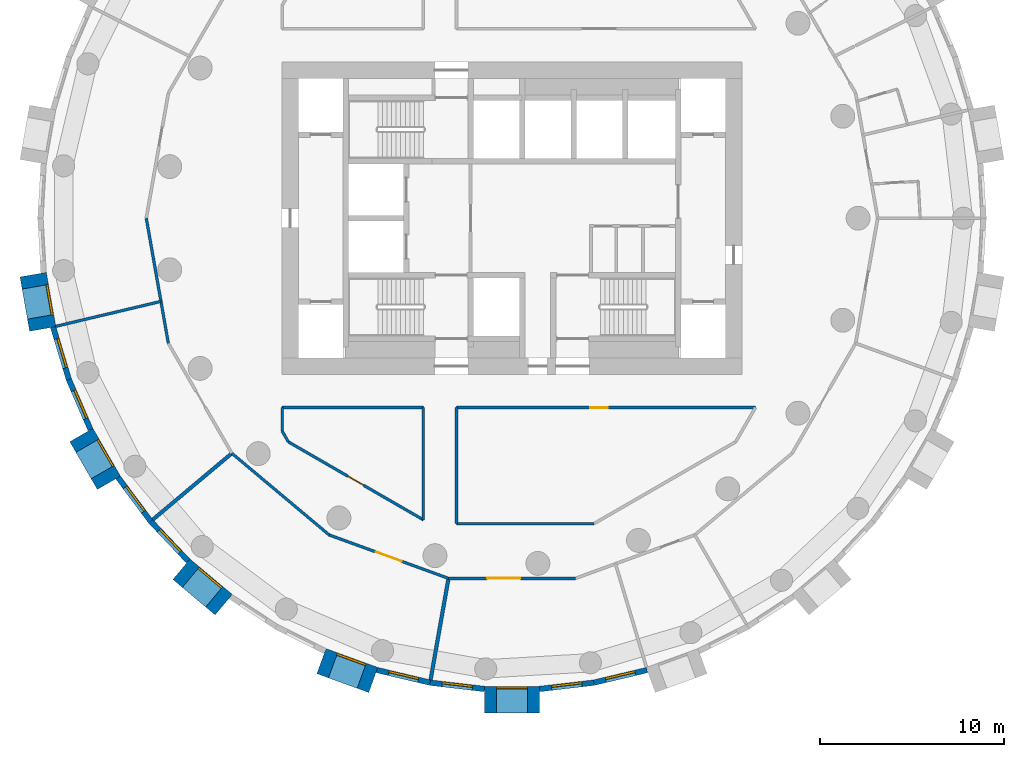
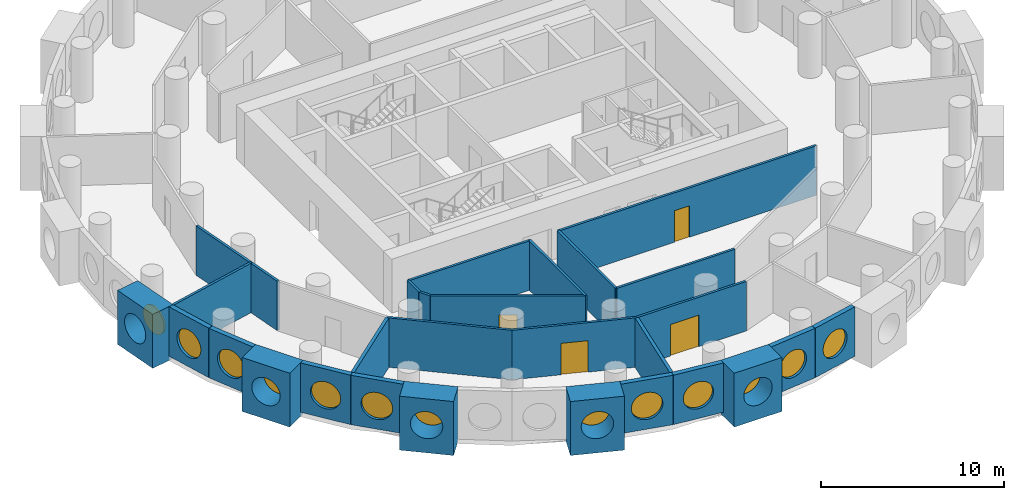
# One storey, part 2 of 9: 28 walls, 13 windows, 4 doors, 17 openings.
"""IFC4 building model written with IfcOpenShell, lengths in metres."""

from ifc_helpers import new_model, si_unit, direction, frame, frame_2d, origin, origin_2d, place, context, subcontext, project, spatial, rectangle, circle, extrude, material, layer, layer_set, type_object, element, fill, save


model = new_model("IFC4")

# Units and contexts
model_context = context("Model", 3, precision=1e-05, world=origin(), true_north=direction((0.0, 1.0)))
body_context = subcontext(model_context, "Body", "Model", "MODEL_VIEW")
ifc_project = project(units=[si_unit("LENGTHUNIT", "METRE"), si_unit("AREAUNIT", "SQUARE_METRE"), si_unit("VOLUMEUNIT", "CUBIC_METRE"), si_unit("PLANEANGLEUNIT", "RADIAN"), si_unit("MASSUNIT", "GRAM", prefix="KILO")], contexts=[model_context])

# Site, building, storey
site_placement = place(None, origin())
site = spatial("IfcSite", under=ifc_project, at=site_placement, CompositionType="ELEMENT")
building_placement = place(site_placement, origin())
building = spatial("IfcBuilding", under=site, at=building_placement, Name="Tracery Tower", CompositionType="ELEMENT")
storey_placement = place(building_placement, frame((0.0, 0.0, 162.0)))
storey = spatial("IfcBuildingStorey", under=building, at=storey_placement, Name="L41", CompositionType="ELEMENT", Elevation=162.0)

# Wall, opening, window
ifc_material_1 = material(Name="Precast concrete C50/60", Category="concrete")
ifc_layer_1 = layer(ifc_material_1, 1.449951171875)
ifc_layer_set_1 = layer_set([ifc_layer_1], Name="Deep-set bay unit 3000 x 3600, slab edge 300")
wall_type_1 = type_object("IfcWallType", Name="Deep-set bay unit 3000 x 3600, slab edge 300", PredefinedType="ELEMENTEDWALL", material=ifc_layer_set_1)
wall_1_placement = place(storey_placement, frame((-26.041748046875, -3.06884765625, -0.300048828125), z_axis=(0.0, 0.0, 1.0), x_axis=(0.173669267716, -0.984804034035, 0.0)))
wall_1 = element("IfcWall", 1, at=wall_1_placement, inside=storey, type_object=wall_type_1, Name="Deep-set bay unit 29 at L41", PredefinedType="ELEMENTEDWALL", context=body_context, shape_type="SweptSolid", body=[
    extrude(rectangle(XDim=3.0, YDim=1.449951171875, at=frame_2d((1.5, 0.0))), origin(), (0.0, 0.0, 1.0), 3.60009765625),
])
opening_1_placement = place(wall_1_placement, frame((1.5, 0.0, 1.85009765625)))
opening_1 = element("IfcOpeningElement", 2, at=opening_1_placement, cuts=wall_1, Name="Opening WN1", PredefinedType="OPENING", context=body_context, shape_type="SweptSolid", body=[
    extrude(circle(Radius=0.9000244140625, at=origin_2d()), frame((0.0, 0.73486328125, 0.0), z_axis=(0.0, -1.0, 0.0), x_axis=(1.0, 0.0, 0.0)), (0.0, 0.0, 1.0), 1.469970703125),
])
ifc_material_2 = material(Name="Aluminium frame with tinted double glazing", Category="aluminium")
window_type = type_object("IfcWindowType", Name="Round window 1800", PartitioningType="SINGLE_PANEL", PredefinedType="WINDOW", material=ifc_material_2)
window_1_placement = place(opening_1_placement, origin())
window_1 = element("IfcWindow", 3, at=window_1_placement, inside=storey, type_object=window_type, Name="Round window 29 at L41", OverallHeight=1.800048828125, OverallWidth=1.800048828125, PartitioningType="SINGLE_PANEL", PredefinedType="WINDOW", context=body_context, shape_type="SweptSolid", body=[
    extrude(circle(Radius=0.9000244140625, at=origin_2d()), frame((0.0, 0.69482421875, 0.0), z_axis=(0.0, -1.0, 0.0), x_axis=(1.0, 0.0, 0.0)), (0.0, 0.0, 1.0), 0.10009765625),
])
fill(opening_1, window_1)

wall_2_placement = place(storey_placement, frame((-23.421630859375, -11.79052734375, -0.300048828125), z_axis=(0.0, 0.0, 1.0), x_axis=(0.499990139034, -0.866031096941, 0.0)))
wall_2 = element("IfcWall", 4, at=wall_2_placement, inside=storey, type_object=wall_type_1, Name="Deep-set bay unit 32 at L41", PredefinedType="ELEMENTEDWALL", context=body_context, shape_type="SweptSolid", body=[
    extrude(rectangle(XDim=3.0, YDim=1.449951171875, at=frame_2d((1.5, 0.0))), origin(), (0.0, 0.0, 1.0), 3.60009765625),
])
opening_2_placement = place(wall_2_placement, frame((1.5, 0.0, 1.85009765625)))
opening_2 = element("IfcOpeningElement", 5, at=opening_2_placement, cuts=wall_2, Name="Opening WN1", PredefinedType="OPENING", context=body_context, shape_type="SweptSolid", body=[
    extrude(circle(Radius=0.9000244140625, at=origin_2d()), frame((0.0, 0.73486328125, 0.0), z_axis=(0.0, -1.0, 0.0), x_axis=(1.0, 0.0, 0.0)), (0.0, 0.0, 1.0), 1.469970703125),
])
window_2_placement = place(opening_2_placement, origin())
window_2 = element("IfcWindow", 6, at=window_2_placement, inside=storey, type_object=window_type, Name="Round window 32 at L41", OverallHeight=1.800048828125, OverallWidth=1.800048828125, PartitioningType="SINGLE_PANEL", PredefinedType="WINDOW", context=body_context, shape_type="SweptSolid", body=[
    extrude(circle(Radius=0.9000244140625, at=origin_2d()), frame((0.0, 0.69482421875, 0.0), z_axis=(0.0, -1.0, 0.0), x_axis=(1.0, 0.0, 0.0)), (0.0, 0.0, 1.0), 0.10009765625),
])
fill(opening_2, window_2)

wall_3_placement = place(storey_placement, frame((-17.9765625, -19.090087890625, -0.300048828125), z_axis=(0.0, 0.0, 1.0), x_axis=(0.766022196139, -0.642814121673, 0.0)))
wall_3 = element("IfcWall", 7, at=wall_3_placement, inside=storey, type_object=wall_type_1, Name="Deep-set bay unit 35 at L41", PredefinedType="ELEMENTEDWALL", context=body_context, shape_type="SweptSolid", body=[
    extrude(rectangle(XDim=3.0, YDim=1.449951171875, at=frame_2d((1.5, 0.0))), origin(), (0.0, 0.0, 1.0), 3.60009765625),
])
opening_3_placement = place(wall_3_placement, frame((1.5, 0.0, 1.85009765625)))
opening_3 = element("IfcOpeningElement", 8, at=opening_3_placement, cuts=wall_3, Name="Opening WN1", PredefinedType="OPENING", context=body_context, shape_type="SweptSolid", body=[
    extrude(circle(Radius=0.9000244140625, at=origin_2d()), frame((0.0, 0.73486328125, 0.0), z_axis=(0.0, -1.0, 0.0), x_axis=(1.0, 0.0, 0.0)), (0.0, 0.0, 1.0), 1.469970703125),
])
window_3_placement = place(opening_3_placement, origin())
window_3 = element("IfcWindow", 9, at=window_3_placement, inside=storey, type_object=window_type, Name="Round window 35 at L41", OverallHeight=1.800048828125, OverallWidth=1.800048828125, PartitioningType="SINGLE_PANEL", PredefinedType="WINDOW", context=body_context, shape_type="SweptSolid", body=[
    extrude(circle(Radius=0.9000244140625, at=origin_2d()), frame((0.0, 0.69482421875, 0.0), z_axis=(0.0, -1.0, 0.0), x_axis=(1.0, 0.0, 0.0)), (0.0, 0.0, 1.0), 0.10009765625),
])
fill(opening_3, window_3)

wall_4_placement = place(storey_placement, frame((-10.36328125, -24.087158203125, -0.300048828125), z_axis=(0.0, 0.0, 1.0), x_axis=(0.939686455819, -0.342037080957, 0.0)))
wall_4 = element("IfcWall", 10, at=wall_4_placement, inside=storey, type_object=wall_type_1, Name="Deep-set bay unit 38 at L41", PredefinedType="ELEMENTEDWALL", context=body_context, shape_type="SweptSolid", body=[
    extrude(rectangle(XDim=3.0, YDim=1.449951171875, at=frame_2d((1.5, 0.0))), origin(), (0.0, 0.0, 1.0), 3.60009765625),
])
opening_4_placement = place(wall_4_placement, frame((1.5, 0.0, 1.85009765625)))
opening_4 = element("IfcOpeningElement", 11, at=opening_4_placement, cuts=wall_4, Name="Opening WN1", PredefinedType="OPENING", context=body_context, shape_type="SweptSolid", body=[
    extrude(circle(Radius=0.9000244140625, at=origin_2d()), frame((0.0, 0.73486328125, 0.0), z_axis=(0.0, -1.0, 0.0), x_axis=(1.0, 0.0, 0.0)), (0.0, 0.0, 1.0), 1.469970703125),
])
window_4_placement = place(opening_4_placement, origin())
window_4 = element("IfcWindow", 12, at=window_4_placement, inside=storey, type_object=window_type, Name="Round window 38 at L41", OverallHeight=1.800048828125, OverallWidth=1.800048828125, PartitioningType="SINGLE_PANEL", PredefinedType="WINDOW", context=body_context, shape_type="SweptSolid", body=[
    extrude(circle(Radius=0.9000244140625, at=origin_2d()), frame((0.0, 0.69482421875, 0.0), z_axis=(0.0, -1.0, 0.0), x_axis=(1.0, 0.0, 0.0)), (0.0, 0.0, 1.0), 0.10009765625),
])
fill(opening_4, window_4)

wall_5_placement = place(storey_placement, frame((-1.5, -26.178955078125, -0.300048828125), z_axis=(0.0, 0.0, 1.0), x_axis=(1.0, 0.0, 0.0)))
wall_5 = element("IfcWall", 13, at=wall_5_placement, inside=storey, type_object=wall_type_1, Name="Deep-set bay unit 41 at L41", PredefinedType="ELEMENTEDWALL", context=body_context, shape_type="SweptSolid", body=[
    extrude(rectangle(XDim=3.0, YDim=1.449951171875, at=frame_2d((1.5, 0.0))), origin(), (0.0, 0.0, 1.0), 3.60009765625),
])
opening_5_placement = place(wall_5_placement, frame((1.5, 0.0, 1.85009765625)))
opening_5 = element("IfcOpeningElement", 14, at=opening_5_placement, cuts=wall_5, Name="Opening WN1", PredefinedType="OPENING", context=body_context, shape_type="SweptSolid", body=[
    extrude(circle(Radius=0.9000244140625, at=origin_2d()), frame((0.0, 0.73486328125, 0.0), z_axis=(0.0, -1.0, 0.0), x_axis=(1.0, 0.0, 0.0)), (0.0, 0.0, 1.0), 1.469970703125),
])
window_5_placement = place(opening_5_placement, origin())
window_5 = element("IfcWindow", 15, at=window_5_placement, inside=storey, type_object=window_type, Name="Round window 41 at L41", OverallHeight=1.800048828125, OverallWidth=1.800048828125, PartitioningType="SINGLE_PANEL", PredefinedType="WINDOW", context=body_context, shape_type="SweptSolid", body=[
    extrude(circle(Radius=0.9000244140625, at=origin_2d()), frame((0.0, 0.69482421875, 0.0), z_axis=(0.0, -1.0, 0.0), x_axis=(1.0, 0.0, 0.0)), (0.0, 0.0, 1.0), 0.10009765625),
])
fill(opening_5, window_5)

ifc_material_3 = material(Name="Precast concrete C50/60", Category="concrete")
ifc_layer_2 = layer(ifc_material_3, 0.300048828125)
ifc_layer_set_2 = layer_set([ifc_layer_2], Name="Facade panel 3000 x 3300")
wall_type_2 = type_object("IfcWallType", Name="Facade panel 3000 x 3300", PredefinedType="SOLIDWALL", material=ifc_layer_set_2)
wall_6_placement = place(storey_placement, frame((-24.953369140625, -5.924072265625, 0.0), z_axis=(0.0, 0.0, 1.0), x_axis=(0.286782750849, -0.957995643944, 0.0)))
wall_6 = element("IfcWall", 16, at=wall_6_placement, inside=storey, type_object=wall_type_2, Name="Facade panel 30 at L41", PredefinedType="SOLIDWALL", context=body_context, shape_type="SweptSolid", body=[
    extrude(rectangle(XDim=2.97265625, YDim=0.300048828125, at=frame_2d((1.486328125, 0.0))), origin(), (0.0, 0.0, 1.0), 3.300048828125),
])
opening_6_placement = place(wall_6_placement, frame((1.486328125, 0.0, 1.5498046875)))
opening_6 = element("IfcOpeningElement", 17, at=opening_6_placement, cuts=wall_6, Name="Opening WN1", PredefinedType="OPENING", context=body_context, shape_type="SweptSolid", body=[
    extrude(circle(Radius=0.9000244140625, at=origin_2d()), frame((0.0, 0.159912109375, 0.0), z_axis=(0.0, -1.0, 0.0), x_axis=(1.0, 0.0, 0.0)), (0.0, 0.0, 1.0), 0.320068359375),
])
window_6_placement = place(opening_6_placement, origin())
window_6 = element("IfcWindow", 18, at=window_6_placement, inside=storey, type_object=window_type, Name="Round window 30 at L41", OverallHeight=1.800048828125, OverallWidth=1.800048828125, PartitioningType="SINGLE_PANEL", PredefinedType="WINDOW", context=body_context, shape_type="SweptSolid", body=[
    extrude(circle(Radius=0.9000244140625, at=origin_2d()), frame((0.0, 0.1201171875, 0.0), z_axis=(0.0, -1.0, 0.0), x_axis=(1.0, 0.0, 0.0)), (0.0, 0.0, 1.0), 0.10009765625),
])
fill(opening_6, window_6)

wall_7_placement = place(storey_placement, frame((-24.100830078125, -8.77197265625, 0.0), z_axis=(0.0, 0.0, 1.0), x_axis=(0.396148129016, -0.918186614952, 0.0)))
wall_7 = element("IfcWall", 19, at=wall_7_placement, inside=storey, type_object=wall_type_2, Name="Facade panel 31 at L41", PredefinedType="SOLIDWALL", context=body_context, shape_type="SweptSolid", body=[
    extrude(rectangle(XDim=2.972900390625, YDim=0.300048828125, at=frame_2d((1.486328125, 0.0))), origin(), (0.0, 0.0, 1.0), 3.300048828125),
])
opening_7_placement = place(wall_7_placement, frame((1.486328125, 0.0, 1.5498046875)))
opening_7 = element("IfcOpeningElement", 20, at=opening_7_placement, cuts=wall_7, Name="Opening WN1", PredefinedType="OPENING", context=body_context, shape_type="SweptSolid", body=[
    extrude(circle(Radius=0.9000244140625, at=origin_2d()), frame((0.0, 0.159912109375, 0.0), z_axis=(0.0, -1.0, 0.0), x_axis=(1.0, 0.0, 0.0)), (0.0, 0.0, 1.0), 0.320068359375),
])
window_7_placement = place(opening_7_placement, origin())
window_7 = element("IfcWindow", 21, at=window_7_placement, inside=storey, type_object=window_type, Name="Round window 31 at L41", OverallHeight=1.800048828125, OverallWidth=1.800048828125, PartitioningType="SINGLE_PANEL", PredefinedType="WINDOW", context=body_context, shape_type="SweptSolid", body=[
    extrude(circle(Radius=0.9000244140625, at=origin_2d()), frame((0.0, 0.1201171875, 0.0), z_axis=(0.0, -1.0, 0.0), x_axis=(1.0, 0.0, 0.0)), (0.0, 0.0, 1.0), 0.10009765625),
])
fill(opening_7, window_7)

wall_8_placement = place(storey_placement, frame((-21.42236328125, -14.101318359375, 0.0), z_axis=(0.0, 0.0, 1.0), x_axis=(0.597197580538, -0.80209416517, 0.0)))
wall_8 = element("IfcWall", 22, at=wall_8_placement, inside=storey, type_object=wall_type_2, Name="Facade panel 33 at L41", PredefinedType="SOLIDWALL", context=body_context, shape_type="SweptSolid", body=[
    extrude(rectangle(XDim=2.972900390625, YDim=0.300048828125, at=frame_2d((1.486328125, 0.0))), origin(), (0.0, 0.0, 1.0), 3.300048828125),
])
opening_8_placement = place(wall_8_placement, frame((1.486328125, 0.0, 1.5498046875)))
opening_8 = element("IfcOpeningElement", 23, at=opening_8_placement, cuts=wall_8, Name="Opening WN1", PredefinedType="OPENING", context=body_context, shape_type="SweptSolid", body=[
    extrude(circle(Radius=0.9000244140625, at=origin_2d()), frame((0.0, 0.159912109375, 0.0), z_axis=(0.0, -1.0, 0.0), x_axis=(1.0, 0.0, 0.0)), (0.0, 0.0, 1.0), 0.320068359375),
])
window_8_placement = place(opening_8_placement, origin())
window_8 = element("IfcWindow", 24, at=window_8_placement, inside=storey, type_object=window_type, Name="Round window 33 at L41", OverallHeight=1.800048828125, OverallWidth=1.800048828125, PartitioningType="SINGLE_PANEL", PredefinedType="WINDOW", context=body_context, shape_type="SweptSolid", body=[
    extrude(circle(Radius=0.9000244140625, at=origin_2d()), frame((0.0, 0.1201171875, 0.0), z_axis=(0.0, -1.0, 0.0), x_axis=(1.0, 0.0, 0.0)), (0.0, 0.0, 1.0), 0.10009765625),
])
fill(opening_8, window_8)

wall_9_placement = place(storey_placement, frame((-19.64697265625, -16.48583984375, 0.0), z_axis=(0.0, 0.0, 1.0), x_axis=(0.686235184166, -0.727379730273, 0.0)))
wall_9 = element("IfcWall", 25, at=wall_9_placement, inside=storey, type_object=wall_type_2, Name="Facade panel 34 at L41", PredefinedType="SOLIDWALL", context=body_context, shape_type="SweptSolid", body=[
    extrude(rectangle(XDim=2.972900390625, YDim=0.300048828125, at=frame_2d((1.486328125, 0.0))), origin(), (0.0, 0.0, 1.0), 3.300048828125),
])
opening_9_placement = place(wall_9_placement, frame((1.486328125, 0.0, 1.5498046875)))
opening_9 = element("IfcOpeningElement", 26, at=opening_9_placement, cuts=wall_9, Name="Opening WN1", PredefinedType="OPENING", context=body_context, shape_type="SweptSolid", body=[
    extrude(circle(Radius=0.9000244140625, at=origin_2d()), frame((0.0, 0.159912109375, 0.0), z_axis=(0.0, -1.0, 0.0), x_axis=(1.0, 0.0, 0.0)), (0.0, 0.0, 1.0), 0.320068359375),
])
window_9_placement = place(opening_9_placement, origin())
window_9 = element("IfcWindow", 27, at=window_9_placement, inside=storey, type_object=window_type, Name="Round window 34 at L41", OverallHeight=1.800048828125, OverallWidth=1.800048828125, PartitioningType="SINGLE_PANEL", PredefinedType="WINDOW", context=body_context, shape_type="SweptSolid", body=[
    extrude(circle(Radius=0.9000244140625, at=origin_2d()), frame((0.0, 0.1201171875, 0.0), z_axis=(0.0, -1.0, 0.0), x_axis=(1.0, 0.0, 0.0)), (0.0, 0.0, 1.0), 0.10009765625),
])
fill(opening_9, window_9)

wall_10_placement = place(storey_placement, frame((-7.346435546875, -24.572265625, 0.0), z_axis=(0.0, 0.0, 1.0), x_axis=(0.973049746156, -0.230595298102, 0.0)))
wall_10 = element("IfcWall", 28, at=wall_10_placement, inside=storey, type_object=wall_type_2, Name="Facade panel 39 at L41", PredefinedType="SOLIDWALL", context=body_context, shape_type="SweptSolid", body=[
    extrude(rectangle(XDim=2.972900390625, YDim=0.300048828125, at=frame_2d((1.486328125, 0.0))), origin(), (0.0, 0.0, 1.0), 3.300048828125),
])
opening_10_placement = place(wall_10_placement, frame((1.486328125, 0.0, 1.5498046875)))
opening_10 = element("IfcOpeningElement", 29, at=opening_10_placement, cuts=wall_10, Name="Opening WN1", PredefinedType="OPENING", context=body_context, shape_type="SweptSolid", body=[
    extrude(circle(Radius=0.9000244140625, at=origin_2d()), frame((0.0, 0.159912109375, 0.0), z_axis=(0.0, -1.0, 0.0), x_axis=(1.0, 0.0, 0.0)), (0.0, 0.0, 1.0), 0.320068359375),
])
window_10_placement = place(opening_10_placement, origin())
window_10 = element("IfcWindow", 30, at=window_10_placement, inside=storey, type_object=window_type, Name="Round window 39 at L41", OverallHeight=1.800048828125, OverallWidth=1.800048828125, PartitioningType="SINGLE_PANEL", PredefinedType="WINDOW", context=body_context, shape_type="SweptSolid", body=[
    extrude(circle(Radius=0.9000244140625, at=origin_2d()), frame((0.0, 0.1201171875, 0.0), z_axis=(0.0, -1.0, 0.0), x_axis=(1.0, 0.0, 0.0)), (0.0, 0.0, 1.0), 0.10009765625),
])
fill(opening_10, window_10)

wall_11_placement = place(storey_placement, frame((-4.45361328125, -25.2578125, 0.0), z_axis=(0.0, 0.0, 1.0), x_axis=(0.993235542767, -0.116116995244, 0.0)))
wall_11 = element("IfcWall", 31, at=wall_11_placement, inside=storey, type_object=wall_type_2, Name="Facade panel 40 at L41", PredefinedType="SOLIDWALL", context=body_context, shape_type="SweptSolid", body=[
    extrude(rectangle(XDim=2.972900390625, YDim=0.300048828125, at=frame_2d((1.486328125, 0.0))), origin(), (0.0, 0.0, 1.0), 3.300048828125),
])
opening_11_placement = place(wall_11_placement, frame((1.486328125, 0.0, 1.5498046875)))
opening_11 = element("IfcOpeningElement", 32, at=opening_11_placement, cuts=wall_11, Name="Opening WN1", PredefinedType="OPENING", context=body_context, shape_type="SweptSolid", body=[
    extrude(circle(Radius=0.9000244140625, at=origin_2d()), frame((0.0, 0.159912109375, 0.0), z_axis=(0.0, -1.0, 0.0), x_axis=(1.0, 0.0, 0.0)), (0.0, 0.0, 1.0), 0.320068359375),
])
window_11_placement = place(opening_11_placement, origin())
window_11 = element("IfcWindow", 33, at=window_11_placement, inside=storey, type_object=window_type, Name="Round window 40 at L41", OverallHeight=1.800048828125, OverallWidth=1.800048828125, PartitioningType="SINGLE_PANEL", PredefinedType="WINDOW", context=body_context, shape_type="SweptSolid", body=[
    extrude(circle(Radius=0.9000244140625, at=origin_2d()), frame((0.0, 0.1201171875, 0.0), z_axis=(0.0, -1.0, 0.0), x_axis=(1.0, 0.0, 0.0)), (0.0, 0.0, 1.0), 0.10009765625),
])
fill(opening_11, window_11)

wall_12_placement = place(storey_placement, frame((1.500732421875, -25.60302734375, 0.0), z_axis=(0.0, 0.0, 1.0), x_axis=(0.993235542767, 0.116116995244, 0.0)))
wall_12 = element("IfcWall", 34, at=wall_12_placement, inside=storey, type_object=wall_type_2, Name="Facade panel 42 at L41", PredefinedType="SOLIDWALL", context=body_context, shape_type="SweptSolid", body=[
    extrude(rectangle(XDim=2.972900390625, YDim=0.300048828125, at=frame_2d((1.486328125, 0.0))), origin(), (0.0, 0.0, 1.0), 3.300048828125),
])
opening_12_placement = place(wall_12_placement, frame((1.486328125, 0.0, 1.5498046875)))
opening_12 = element("IfcOpeningElement", 35, at=opening_12_placement, cuts=wall_12, Name="Opening WN1", PredefinedType="OPENING", context=body_context, shape_type="SweptSolid", body=[
    extrude(circle(Radius=0.9000244140625, at=origin_2d()), frame((0.0, 0.159912109375, 0.0), z_axis=(0.0, -1.0, 0.0), x_axis=(1.0, 0.0, 0.0)), (0.0, 0.0, 1.0), 0.320068359375),
])
window_12_placement = place(opening_12_placement, origin())
window_12 = element("IfcWindow", 36, at=window_12_placement, inside=storey, type_object=window_type, Name="Round window 42 at L41", OverallHeight=1.800048828125, OverallWidth=1.800048828125, PartitioningType="SINGLE_PANEL", PredefinedType="WINDOW", context=body_context, shape_type="SweptSolid", body=[
    extrude(circle(Radius=0.9000244140625, at=origin_2d()), frame((0.0, 0.1201171875, 0.0), z_axis=(0.0, -1.0, 0.0), x_axis=(1.0, 0.0, 0.0)), (0.0, 0.0, 1.0), 0.10009765625),
])
fill(opening_12, window_12)

wall_13_placement = place(storey_placement, frame((4.45361328125, -25.2578125, 0.0), z_axis=(0.0, 0.0, 1.0), x_axis=(0.973049746156, 0.230595298102, 0.0)))
wall_13 = element("IfcWall", 37, at=wall_13_placement, inside=storey, type_object=wall_type_2, Name="Facade panel 43 at L41", PredefinedType="SOLIDWALL", context=body_context, shape_type="SweptSolid", body=[
    extrude(rectangle(XDim=2.972900390625, YDim=0.300048828125, at=frame_2d((1.486328125, 0.0))), origin(), (0.0, 0.0, 1.0), 3.300048828125),
])
opening_13_placement = place(wall_13_placement, frame((1.486328125, 0.0, 1.5498046875)))
opening_13 = element("IfcOpeningElement", 38, at=opening_13_placement, cuts=wall_13, Name="Opening WN1", PredefinedType="OPENING", context=body_context, shape_type="SweptSolid", body=[
    extrude(circle(Radius=0.9000244140625, at=origin_2d()), frame((0.0, 0.159912109375, 0.0), z_axis=(0.0, -1.0, 0.0), x_axis=(1.0, 0.0, 0.0)), (0.0, 0.0, 1.0), 0.320068359375),
])
window_13_placement = place(opening_13_placement, origin())
window_13 = element("IfcWindow", 39, at=window_13_placement, inside=storey, type_object=window_type, Name="Round window 43 at L41", OverallHeight=1.800048828125, OverallWidth=1.800048828125, PartitioningType="SINGLE_PANEL", PredefinedType="WINDOW", context=body_context, shape_type="SweptSolid", body=[
    extrude(circle(Radius=0.9000244140625, at=origin_2d()), frame((0.0, 0.1201171875, 0.0), z_axis=(0.0, -1.0, 0.0), x_axis=(1.0, 0.0, 0.0)), (0.0, 0.0, 1.0), 0.10009765625),
])
fill(opening_13, window_13)

# Walls
ifc_material_4 = material(Name="Plasterboard on steel studs", Category="steel")
ifc_layer_3 = layer(ifc_material_4, 0.14990234375)
ifc_layer_set_3 = layer_set([ifc_layer_3], Name="Partition 150 acoustic unit wall")
wall_type_3 = type_object("IfcWallType", Name="Partition 150 acoustic unit wall", PredefinedType="PARTITIONING", material=ifc_layer_set_3)
wall_14_placement = place(storey_placement, frame((-24.81005859375, -5.8798828125, 0.0), z_axis=(0.0, 0.0, 1.0), x_axis=(0.973033452951, 0.230664040193, 0.0)))
element("IfcWall", 40, at=wall_14_placement, inside=storey, type_object=wall_type_3, Name="Unit wall RB4-070", PredefinedType="PARTITIONING", context=body_context, shape_type="SweptSolid", body=[
    extrude(rectangle(XDim=5.87841796875, YDim=0.14990234375, at=frame_2d((2.939208984375, 0.0))), origin(), (0.0, 0.0, 1.0), 3.300048828125),
])
ifc_material_5 = material(Name="Plasterboard on steel studs", Category="steel")
ifc_layer_4 = layer(ifc_material_5, 0.14990234375)
ifc_layer_set_4 = layer_set([ifc_layer_4], Name="Partition 150 corridor wall")
wall_type_4 = type_object("IfcWallType", Name="Partition 150 corridor wall", PredefinedType="PARTITIONING", material=ifc_layer_set_4)
wall_15_placement = place(storey_placement, frame((-12.50390625, -10.300048828125, 0.0), z_axis=(0.0, 0.0, 1.0), x_axis=(1.0, 0.0, 0.0)))
element("IfcWall", 41, at=wall_15_placement, inside=storey, type_object=wall_type_4, Name="Corridor wall RB4-003", PredefinedType="PARTITIONING", context=body_context, shape_type="SweptSolid", body=[
    extrude(rectangle(XDim=7.68701171875, YDim=0.14990234375, at=frame_2d((3.843505859375, 0.0))), origin(), (0.0, 0.0, 1.0), 3.300048828125),
])

# Wall, opening, door
wall_16_placement = place(storey_placement, frame((-3.02490234375, -10.300048828125, 0.0), z_axis=(0.0, 0.0, 1.0), x_axis=(1.0, 0.0, 0.0)))
wall_16 = element("IfcWall", 42, at=wall_16_placement, inside=storey, type_object=wall_type_4, Name="Corridor wall RB4-004", PredefinedType="PARTITIONING", context=body_context, shape_type="SweptSolid", body=[
    extrude(rectangle(XDim=16.261962890625, YDim=0.14990234375, at=frame_2d((8.130859375, 0.0))), origin(), (0.0, 0.0, 1.0), 3.300048828125),
])
opening_14_placement = place(wall_16_placement, frame((7.287109375, 0.0, 0.0)))
opening_14 = element("IfcOpeningElement", 43, at=opening_14_placement, cuts=wall_16, Name="Opening RB4-04", PredefinedType="OPENING", context=body_context, shape_type="SweptSolid", body=[
    extrude(rectangle(XDim=0.949951171875, YDim=2.10009765625, at=frame_2d((0.47509765625, 1.050048828125))), frame((0.0, 0.074951171875, 0.0), z_axis=(0.0, -1.0, 0.0), x_axis=(1.0, 0.0, 0.0)), (0.0, 0.0, 1.0), 0.14990234375),
])
ifc_material_6 = material(Name="Timber door leaf", Category="wood")
door_type_1 = type_object("IfcDoorType", Name="Door store 950", OperationType="NOTDEFINED", PredefinedType="DOOR", material=ifc_material_6)
door_1_placement = place(opening_14_placement, origin())
door_1 = element("IfcDoor", 44, at=door_1_placement, inside=storey, type_object=door_type_1, Name="Store door RB4-04", OperationType="SINGLE_SWING_RIGHT", OverallHeight=2.10009765625, OverallWidth=0.949951171875, PredefinedType="DOOR", context=body_context, shape_type="SweptSolid", body=[
    extrude(rectangle(XDim=0.949951171875, YDim=2.10009765625, at=frame_2d((0.47509765625, 1.050048828125))), frame((0.0, 0.02490234375, 0.0), z_axis=(0.0, -1.0, 0.0), x_axis=(1.0, 0.0, 0.0)), (0.0, 0.0, 1.0), 0.050048828125),
])
fill(opening_14, door_1)

# Walls
wall_17_placement = place(storey_placement, frame((-12.5, -11.576904296875, 0.0), z_axis=(0.0, 0.0, 1.0), x_axis=(0.0, 1.0, 0.0)))
element("IfcWall", 45, at=wall_17_placement, inside=storey, type_object=wall_type_4, Name="Corridor wall RB4-024", PredefinedType="PARTITIONING", context=body_context, shape_type="SweptSolid", body=[
    extrude(rectangle(XDim=1.27685546875, YDim=0.14990234375, at=frame_2d((0.638427734375, 0.0))), origin(), (0.0, 0.0, 1.0), 3.300048828125),
])
wall_18_placement = place(storey_placement, frame((-12.5, -11.576904296875, 0.0), z_axis=(0.0, 0.0, 1.0), x_axis=(0.500024767483, -0.866011103799, 0.0)))
element("IfcWall", 46, at=wall_18_placement, inside=storey, type_object=wall_type_4, Name="Corridor wall RB4-025", PredefinedType="PARTITIONING", context=body_context, shape_type="SweptSolid", body=[
    extrude(rectangle(XDim=0.67578125, YDim=0.14990234375, at=frame_2d((0.337890625, 0.0))), origin(), (0.0, 0.0, 1.0), 3.300048828125),
])
wall_19_placement = place(storey_placement, frame((-19.887939453125, 0.0, 0.0), z_axis=(0.0, 0.0, 1.0), x_axis=(0.173763153374, -0.984787472772, 0.0)))
element("IfcWall", 47, at=wall_19_placement, inside=storey, type_object=wall_type_4, Name="Corridor wall RB4-027", PredefinedType="PARTITIONING", context=body_context, shape_type="SweptSolid", body=[
    extrude(rectangle(XDim=6.906982421875, YDim=0.14990234375, at=frame_2d((3.45361328125, 0.0))), origin(), (0.0, 0.0, 1.0), 3.300048828125),
])
wall_20_placement = place(storey_placement, frame((-15.235107421875, -12.783935546875, 0.0), z_axis=(0.0, 0.0, 1.0), x_axis=(0.766192104565, -0.642611592567, 0.0)))
element("IfcWall", 48, at=wall_20_placement, inside=storey, type_object=wall_type_4, Name="Corridor wall RB4-030", PredefinedType="PARTITIONING", context=body_context, shape_type="SweptSolid", body=[
    extrude(rectangle(XDim=6.906494140625, YDim=0.14990234375, at=frame_2d((3.453125, 0.0))), origin(), (0.0, 0.0, 1.0), 3.300048828125),
])

# Wall, opening, door
wall_21_placement = place(storey_placement, frame((-12.162109375, -12.162109375, 0.0), z_axis=(0.0, 0.0, 1.0), x_axis=(0.866004766557, -0.500035743023, 0.0)))
wall_21 = element("IfcWall", 49, at=wall_21_placement, inside=storey, type_object=wall_type_4, Name="Corridor wall RB4-031", PredefinedType="PARTITIONING", context=body_context, shape_type="SweptSolid", body=[
    extrude(rectangle(XDim=8.47705078125, YDim=0.14990234375, at=frame_2d((4.238525390625, 0.0))), origin(), (0.0, 0.0, 1.0), 3.300048828125),
])
opening_15_placement = place(wall_21_placement, frame((3.738037109375, 0.0, 0.0)))
opening_15 = element("IfcOpeningElement", 50, at=opening_15_placement, cuts=wall_21, Name="Opening RB4-03", PredefinedType="OPENING", context=body_context, shape_type="SweptSolid", body=[
    extrude(rectangle(XDim=1.0, YDim=2.0400390625, at=frame_2d((0.5, 1.02001953125))), frame((0.0, 0.074951171875, 0.0), z_axis=(0.0, -1.0, 0.0), x_axis=(1.0, 0.0, 0.0)), (0.0, 0.0, 1.0), 0.14990234375),
])
ifc_material_7 = material(Name="Timber door leaf", Category="wood")
door_type_2 = type_object("IfcDoorType", Name="Door communal room 1000", OperationType="NOTDEFINED", PredefinedType="DOOR", material=ifc_material_7)
door_2_placement = place(opening_15_placement, origin())
door_2 = element("IfcDoor", 51, at=door_2_placement, inside=storey, type_object=door_type_2, Name="Communal room door RB4-03", OperationType="SINGLE_SWING_LEFT", OverallHeight=2.0400390625, OverallWidth=1.0, PredefinedType="DOOR", context=body_context, shape_type="SweptSolid", body=[
    extrude(rectangle(XDim=1.0, YDim=2.0400390625, at=frame_2d((0.5, 1.02001953125))), frame((0.0, 0.02490234375, 0.0), z_axis=(0.0, -1.0, 0.0), x_axis=(1.0, 0.0, 0.0)), (0.0, 0.0, 1.0), 0.050048828125),
])
fill(opening_15, door_2)

# Walls
wall_22_placement = place(storey_placement, frame((-4.821044921875, -16.40087890625, 0.0), z_axis=(0.0, 0.0, 1.0), x_axis=(0.0, 1.0, 0.0)))
element("IfcWall", 52, at=wall_22_placement, inside=storey, type_object=wall_type_4, Name="Corridor wall RB4-032", PredefinedType="PARTITIONING", context=body_context, shape_type="SweptSolid", body=[
    extrude(rectangle(XDim=6.100830078125, YDim=0.14990234375, at=frame_2d((3.05029296875, 0.0))), origin(), (0.0, 0.0, 1.0), 3.300048828125),
])
wall_23_placement = place(storey_placement, frame((-3.02099609375, -16.614013671875, 0.0), z_axis=(0.0, 0.0, 1.0), x_axis=(0.0, 1.0, 0.0)))
element("IfcWall", 53, at=wall_23_placement, inside=storey, type_object=wall_type_4, Name="Corridor wall RB4-033", PredefinedType="PARTITIONING", context=body_context, shape_type="SweptSolid", body=[
    extrude(rectangle(XDim=6.31396484375, YDim=0.14990234375, at=frame_2d((3.156982421875, 0.0))), origin(), (0.0, 0.0, 1.0), 3.300048828125),
])
wall_24_placement = place(storey_placement, frame((-3.02099609375, -16.614013671875, 0.0), z_axis=(0.0, 0.0, 1.0), x_axis=(1.0, 0.0, 0.0)))
element("IfcWall", 54, at=wall_24_placement, inside=storey, type_object=wall_type_4, Name="Corridor wall RB4-034", PredefinedType="PARTITIONING", context=body_context, shape_type="SweptSolid", body=[
    extrude(rectangle(XDim=7.472900390625, YDim=0.14990234375, at=frame_2d((3.736328125, 0.0))), origin(), (0.0, 0.0, 1.0), 3.300048828125),
])

# Wall, opening, door
wall_25_placement = place(storey_placement, frame((-9.944091796875, -17.222900390625, 0.0), z_axis=(0.0, 0.0, 1.0), x_axis=(0.939672634566, -0.342075050021, 0.0)))
wall_25 = element("IfcWall", 55, at=wall_25_placement, inside=storey, type_object=wall_type_4, Name="Corridor wall RB4-036", PredefinedType="PARTITIONING", context=body_context, shape_type="SweptSolid", body=[
    extrude(rectangle(XDim=6.907958984375, YDim=0.14990234375, at=frame_2d((3.4541015625, 0.0))), origin(), (0.0, 0.0, 1.0), 3.300048828125),
])
opening_16_placement = place(wall_25_placement, frame((2.70361328125, 0.0, 0.0)))
opening_16 = element("IfcOpeningElement", 56, at=opening_16_placement, cuts=wall_25, Name="Opening RB4-25", PredefinedType="OPENING", context=body_context, shape_type="SweptSolid", body=[
    extrude(rectangle(XDim=1.5, YDim=2.10009765625, at=frame_2d((0.75, 1.050048828125))), frame((0.0, 0.074951171875, 0.0), z_axis=(0.0, -1.0, 0.0), x_axis=(1.0, 0.0, 0.0)), (0.0, 0.0, 1.0), 0.14990234375),
])
ifc_material_8 = material(Name="Timber door leaf", Category="wood")
door_type_3 = type_object("IfcDoorType", Name="Door double kitchen 1500", OperationType="NOTDEFINED", PredefinedType="DOOR", material=ifc_material_8)
door_3_placement = place(opening_16_placement, origin())
door_3 = element("IfcDoor", 57, at=door_3_placement, inside=storey, type_object=door_type_3, Name="Double kitchen door RB4-25", OperationType="DOUBLE_DOOR_SINGLE_SWING", OverallHeight=2.10009765625, OverallWidth=1.5, PredefinedType="DOOR", context=body_context, shape_type="SweptSolid", body=[
    extrude(rectangle(XDim=1.5, YDim=2.10009765625, at=frame_2d((0.75, 1.050048828125))), frame((0.0, 0.02490234375, 0.0), z_axis=(0.0, -1.0, 0.0), x_axis=(1.0, 0.0, 0.0)), (0.0, 0.0, 1.0), 0.050048828125),
])
fill(opening_16, door_3)

wall_26_placement = place(storey_placement, frame((-3.452880859375, -19.5859375, 0.0), z_axis=(0.0, 0.0, 1.0), x_axis=(1.0, 0.0, 0.0)))
wall_26 = element("IfcWall", 58, at=wall_26_placement, inside=storey, type_object=wall_type_4, Name="Corridor wall RB4-038", PredefinedType="PARTITIONING", context=body_context, shape_type="SweptSolid", body=[
    extrude(rectangle(XDim=6.90576171875, YDim=0.14990234375, at=frame_2d((3.452880859375, 0.0))), origin(), (0.0, 0.0, 1.0), 3.300048828125),
])
opening_17_placement = place(wall_26_placement, frame((2.10302734375, 0.0, 0.0)))
opening_17 = element("IfcOpeningElement", 59, at=opening_17_placement, cuts=wall_26, Name="Opening RB4-26", PredefinedType="OPENING", context=body_context, shape_type="SweptSolid", body=[
    extrude(rectangle(XDim=1.800048828125, YDim=2.10009765625, at=frame_2d((0.89990234375, 1.050048828125))), frame((0.0, 0.074951171875, 0.0), z_axis=(0.0, -1.0, 0.0), x_axis=(1.0, 0.0, 0.0)), (0.0, 0.0, 1.0), 0.14990234375),
])
ifc_material_9 = material(Name="Timber door leaf", Category="wood")
door_type_4 = type_object("IfcDoorType", Name="Door double lounge 1800", OperationType="NOTDEFINED", PredefinedType="DOOR", material=ifc_material_9)
door_4_placement = place(opening_17_placement, origin())
door_4 = element("IfcDoor", 60, at=door_4_placement, inside=storey, type_object=door_type_4, Name="Double lounge door RB4-26", OperationType="DOUBLE_DOOR_SINGLE_SWING", OverallHeight=2.10009765625, OverallWidth=1.800048828125, PredefinedType="DOOR", context=body_context, shape_type="SweptSolid", body=[
    extrude(rectangle(XDim=1.800048828125, YDim=2.10009765625, at=frame_2d((0.89990234375, 1.050048828125))), frame((0.0, 0.02490234375, 0.0), z_axis=(0.0, -1.0, 0.0), x_axis=(1.0, 0.0, 0.0)), (0.0, 0.0, 1.0), 0.050048828125),
])
fill(opening_17, door_4)

# Walls
ifc_material_10 = material(Name="Plasterboard on steel studs", Category="steel")
ifc_layer_5 = layer(ifc_material_10, 0.199951171875)
ifc_layer_set_5 = layer_set([ifc_layer_5], Name="Partition 200 compartment wall")
wall_type_5 = type_object("IfcWallType", Name="Partition 200 compartment wall", PredefinedType="PARTITIONING", material=ifc_layer_set_5)
wall_27_placement = place(storey_placement, frame((-19.531982421875, -16.388916015625, 0.0), z_axis=(0.0, 0.0, 1.0), x_axis=(0.76609059793, 0.642732600514, 0.0)))
element("IfcWall", 61, at=wall_27_placement, inside=storey, type_object=wall_type_5, Name="Compartment wall RB4-071", PredefinedType="PARTITIONING", context=body_context, shape_type="SweptSolid", body=[
    extrude(rectangle(XDim=5.60888671875, YDim=0.199951171875, at=frame_2d((2.804443359375, 0.0))), origin(), (0.0, 0.0, 1.0), 3.300048828125),
])
wall_28_placement = place(storey_placement, frame((-4.427978515625, -25.110107421875, 0.0), z_axis=(0.0, 0.0, 1.0), x_axis=(0.17382754149, 0.984776109489, 0.0)))
element("IfcWall", 62, at=wall_28_placement, inside=storey, type_object=wall_type_5, Name="Compartment wall RB4-072", PredefinedType="PARTITIONING", context=body_context, shape_type="SweptSolid", body=[
    extrude(rectangle(XDim=5.609619140625, YDim=0.199951171875, at=frame_2d((2.8046875, 0.0))), origin(), (0.0, 0.0, 1.0), 3.300048828125),
])

save(model, "model.ifc")
